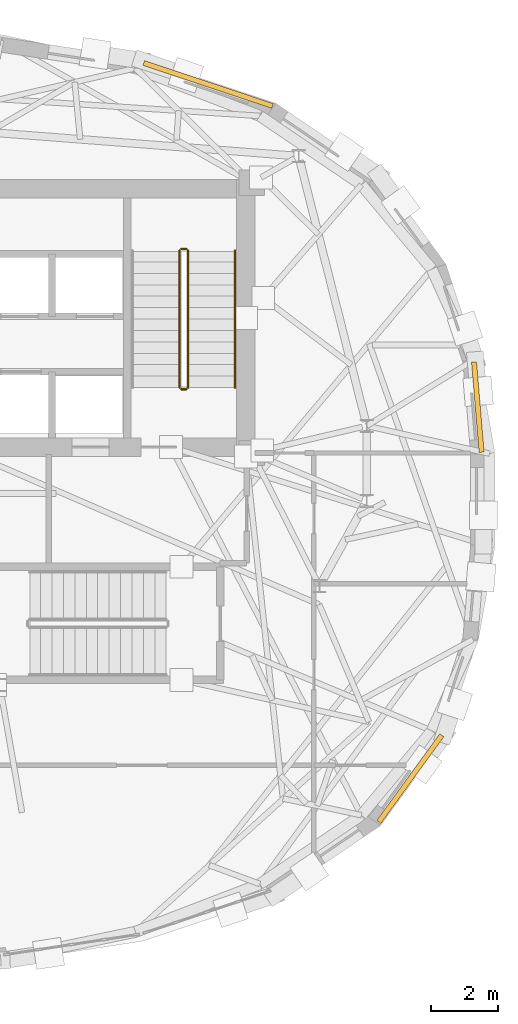
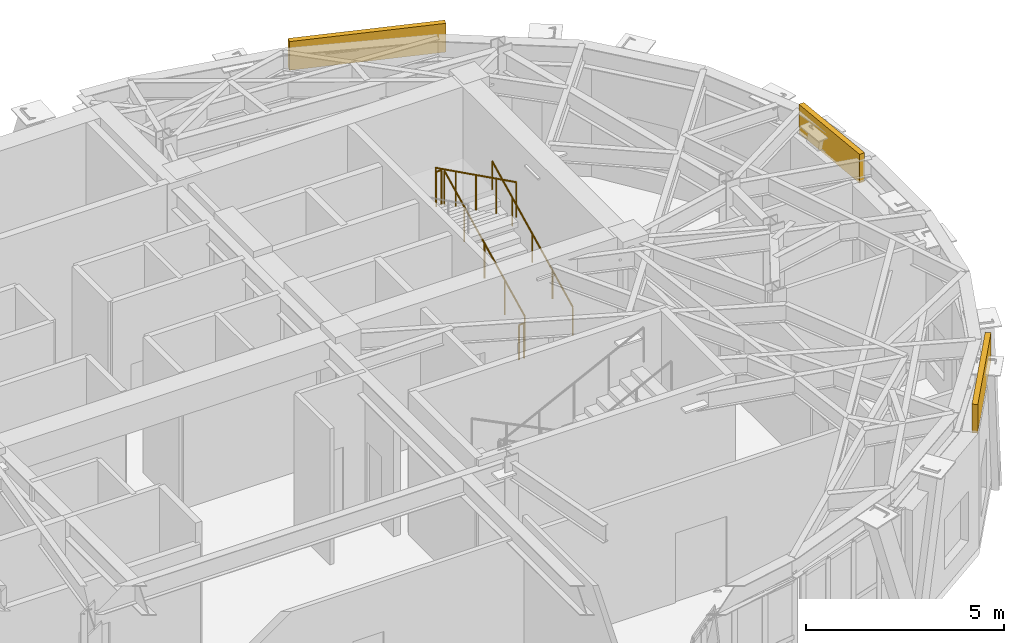
# One storey, part 16 of 16: 5 railings, 3 coverings.
"""IFC4 building model written with IfcOpenShell, lengths in metres."""

from ifc_helpers import new_model, si_unit, direction, frame, origin, origin_2d, place, context, subcontext, project, spatial, rectangle, circle, extrude, material, layer, layer_set, type_object, element, save


model = new_model("IFC4")

# Units and contexts
model_context = context("Model", 3, precision=1e-05, world=origin(), true_north=direction((0.0, 1.0)))
body_context = subcontext(model_context, "Body", "Model", "MODEL_VIEW")
ifc_project = project(units=[si_unit("LENGTHUNIT", "METRE"), si_unit("AREAUNIT", "SQUARE_METRE"), si_unit("VOLUMEUNIT", "CUBIC_METRE"), si_unit("PLANEANGLEUNIT", "RADIAN"), si_unit("MASSUNIT", "GRAM", prefix="KILO")], contexts=[model_context])

# Site, building, storey
site_placement = place(None, origin())
site = spatial("IfcSite", under=ifc_project, at=site_placement, CompositionType="ELEMENT")
building_placement = place(site_placement, origin())
building = spatial("IfcBuilding", under=site, at=building_placement, Name="Keldmark Tower", CompositionType="ELEMENT")
storey_placement = place(building_placement, frame((0.0, 0.0, 264.800048828125)))
storey = spatial("IfcBuildingStorey", under=building, at=storey_placement, Name="L75", CompositionType="ELEMENT", Elevation=264.800048828125)

# Coverings
ifc_material_1 = material(Name="Honed Kasota Buff Dolomitic Limestone", Category="masonry")
ifc_layer = layer(ifc_material_1, 0.074951171875)
ifc_layer_set = layer_set([ifc_layer], Name="Honed Kasota Buff Dolomitic Limestone")
covering_type = type_object("IfcCoveringType", Name="Kasota Buff Limestone Spandrel Cladding Band", PredefinedType="CLADDING", material=ifc_layer_set)
covering_1_placement = place(storey_placement, frame((20.333740234375, 2.76708984375, 3.490234375), z_axis=(0.0, 0.0, 1.0), x_axis=(-0.083677843332, 0.99649285925, 0.0)))
element("IfcCovering", 1, at=covering_1_placement, inside=storey, type_object=covering_type, Name="L75 Kasota Limestone Spandrel Band 01", PredefinedType="CLADDING", context=body_context, shape_type="SweptSolid", body=[
    extrude(rectangle(XDim=2.697021484375, YDim=0.14990234375, at=origin_2d()), origin(), (0.0, 0.0, 1.0), 0.889892578125),
])
covering_2_placement = place(storey_placement, frame((12.301513671875, 12.377197265625, 3.490234375), z_axis=(0.0, 0.0, 1.0), x_axis=(-0.948506252266, 0.316758408591, 0.0)))
element("IfcCovering", 2, at=covering_2_placement, inside=storey, type_object=covering_type, Name="L75 Kasota Limestone Spandrel Band 05", PredefinedType="CLADDING", context=body_context, shape_type="SweptSolid", body=[
    extrude(rectangle(XDim=4.044921875, YDim=0.14990234375, at=origin_2d()), origin(), (0.0, 0.0, 1.0), 0.889892578125),
])
covering_3_placement = place(storey_placement, frame((18.322509765625, -8.298583984375, 3.490234375), z_axis=(0.0, 0.0, 1.0), x_axis=(0.587841730901, 0.808975957252, 0.0)))
element("IfcCovering", 3, at=covering_3_placement, inside=storey, type_object=covering_type, Name="L75 Kasota Limestone Spandrel Band 29", PredefinedType="CLADDING", context=body_context, shape_type="SweptSolid", body=[
    extrude(rectangle(XDim=3.190185546875, YDim=0.14990234375, at=origin_2d()), origin(), (0.0, 0.0, 1.0), 0.889892578125),
])

# Railings
ifc_material_2 = material(Name="Painted Steel ASTM A500 Grade B", Category="steel")
railing_type_1 = type_object("IfcRailingType", Name="Painted Steel Stair Well Guard 1100 mm", PredefinedType="GUARDRAIL", material=ifc_material_2)
railing_1_placement = place(storey_placement, frame((11.699951171875, 3.35009765625, 0.169189453125)))
element("IfcRailing", 4, at=railing_1_placement, inside=storey, type_object=railing_type_1, Name="L75 ST2 stair guard 1", PredefinedType="GUARDRAIL", context=body_context, shape_type="SweptSolid", body=[
    extrude(circle(Radius=0.02392578125, at=origin_2d()), frame((0.0, 0.0, 1.076171875), z_axis=(0.0, 0.895229316009, 0.445605735777), x_axis=(-1.0, 0.0, 0.0)), (0.0, 0.0, 1.0), 4.557373046875),
    extrude(circle(Radius=0.02099609375, at=origin_2d()), origin(), (0.0, 0.0, 1.0), 1.052001953125),
    extrude(circle(Radius=0.02099609375, at=origin_2d()), frame((0.0, 1.02001953125, 0.5078125)), (0.0, 0.0, 1.0), 1.052001953125),
    extrude(circle(Radius=0.02099609375, at=origin_2d()), frame((0.0, 2.0400390625, 1.015380859375)), (0.0, 0.0, 1.0), 1.052001953125),
    extrude(circle(Radius=0.02099609375, at=origin_2d()), frame((0.0, 3.059814453125, 1.52294921875)), (0.0, 0.0, 1.0), 1.052001953125),
    extrude(circle(Radius=0.02099609375, at=origin_2d()), frame((0.0, 4.079833984375, 2.03076171875)), (0.0, 0.0, 1.0), 1.052001953125),
])
railing_2_placement = place(storey_placement, frame((11.64990234375, 7.47998046875, 2.199951171875)))
element("IfcRailing", 5, at=railing_2_placement, inside=storey, type_object=railing_type_1, Name="L75 ST2 stair guard 2", PredefinedType="GUARDRAIL", context=body_context, shape_type="SweptSolid", body=[
    extrude(circle(Radius=0.02392578125, at=origin_2d()), frame((0.0, 0.0, 1.076171875), z_axis=(-1.0, 0.0, 0.0), x_axis=(0.0, -1.0, 0.0)), (0.0, 0.0, 1.0), 0.14990234375),
    extrude(circle(Radius=0.02099609375, at=origin_2d()), origin(), (0.0, 0.0, 1.0), 1.052001953125),
    extrude(circle(Radius=0.02099609375, at=origin_2d()), frame((-0.14990234375, 0.0, 0.0)), (0.0, 0.0, 1.0), 1.052001953125),
])
railing_3_placement = place(storey_placement, frame((11.449951171875, 7.429931640625, 2.369140625)))
element("IfcRailing", 6, at=railing_3_placement, inside=storey, type_object=railing_type_1, Name="L75 ST2 stair guard 3", PredefinedType="GUARDRAIL", context=body_context, shape_type="SweptSolid", body=[
    extrude(circle(Radius=0.02392578125, at=origin_2d()), frame((0.0, 0.0, 1.076171875), z_axis=(0.0, -0.895229316009, 0.445605735777), x_axis=(1.0, 0.0, 0.0)), (0.0, 0.0, 1.0), 4.557373046875),
    extrude(circle(Radius=0.02099609375, at=origin_2d()), origin(), (0.0, 0.0, 1.0), 1.052001953125),
    extrude(circle(Radius=0.02099609375, at=origin_2d()), frame((0.0, -1.02001953125, 0.5078125)), (0.0, 0.0, 1.0), 1.052001953125),
    extrude(circle(Radius=0.02099609375, at=origin_2d()), frame((0.0, -2.0400390625, 1.015380859375)), (0.0, 0.0, 1.0), 1.052001953125),
    extrude(circle(Radius=0.02099609375, at=origin_2d()), frame((0.0, -3.059814453125, 1.52294921875)), (0.0, 0.0, 1.0), 1.052001953125),
    extrude(circle(Radius=0.02099609375, at=origin_2d()), frame((0.0, -4.079833984375, 2.03076171875)), (0.0, 0.0, 1.0), 1.052001953125),
])
railing_4_placement = place(storey_placement, frame((11.64990234375, 3.300048828125, 0.0)))
element("IfcRailing", 7, at=railing_4_placement, inside=storey, type_object=railing_type_1, Name="L75 ST2 stair guard 4", PredefinedType="GUARDRAIL", context=body_context, shape_type="SweptSolid", body=[
    extrude(circle(Radius=0.02392578125, at=origin_2d()), frame((0.0, 0.0, 1.076171875), z_axis=(-1.0, 0.0, 0.0), x_axis=(0.0, -1.0, 0.0)), (0.0, 0.0, 1.0), 0.14990234375),
    extrude(circle(Radius=0.02099609375, at=origin_2d()), origin(), (0.0, 0.0, 1.0), 1.052001953125),
    extrude(circle(Radius=0.02099609375, at=origin_2d()), frame((-0.14990234375, 0.0, 0.0)), (0.0, 0.0, 1.0), 1.052001953125),
])
ifc_material_3 = material(Name="Stainless Steel AISI 316L", Category="steel")
railing_type_2 = type_object("IfcRailingType", Name="Stainless Steel Stair Handrail 900 mm", PredefinedType="HANDRAIL", material=ifc_material_3)
railing_5_placement = place(storey_placement, frame((13.10009765625, 3.35009765625, 0.169189453125)))
element("IfcRailing", 8, at=railing_5_placement, inside=storey, type_object=railing_type_2, Name="L75 ST2 stair handrail 1", PredefinedType="HANDRAIL", context=body_context, shape_type="SweptSolid", body=[
    extrude(circle(Radius=0.02392578125, at=origin_2d()), frame((0.0, 0.0, 0.8759765625), z_axis=(0.0, 0.895229316009, 0.445605735777), x_axis=(-1.0, 0.0, 0.0)), (0.0, 0.0, 1.0), 4.557373046875),
    extrude(circle(Radius=0.02099609375, at=origin_2d()), origin(), (0.0, 0.0, 1.0), 0.851806640625),
    extrude(circle(Radius=0.02099609375, at=origin_2d()), frame((0.0, 1.02001953125, 0.5078125)), (0.0, 0.0, 1.0), 0.851806640625),
    extrude(circle(Radius=0.02099609375, at=origin_2d()), frame((0.0, 2.0400390625, 1.015380859375)), (0.0, 0.0, 1.0), 0.851806640625),
    extrude(circle(Radius=0.02099609375, at=origin_2d()), frame((0.0, 3.059814453125, 1.52294921875)), (0.0, 0.0, 1.0), 0.851806640625),
    extrude(circle(Radius=0.02099609375, at=origin_2d()), frame((0.0, 4.079833984375, 2.03076171875)), (0.0, 0.0, 1.0), 0.851806640625),
])

save(model, "model.ifc")
